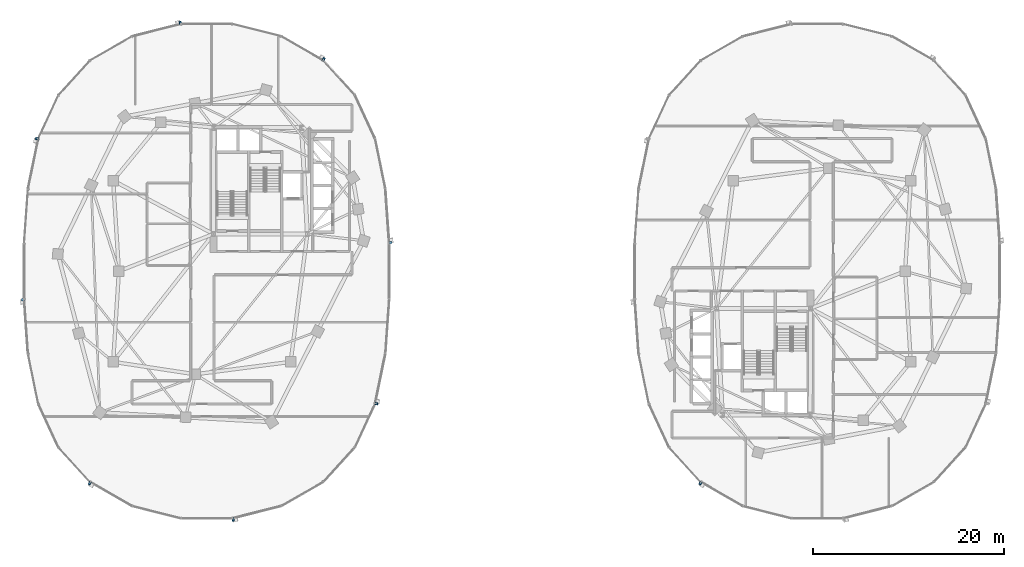
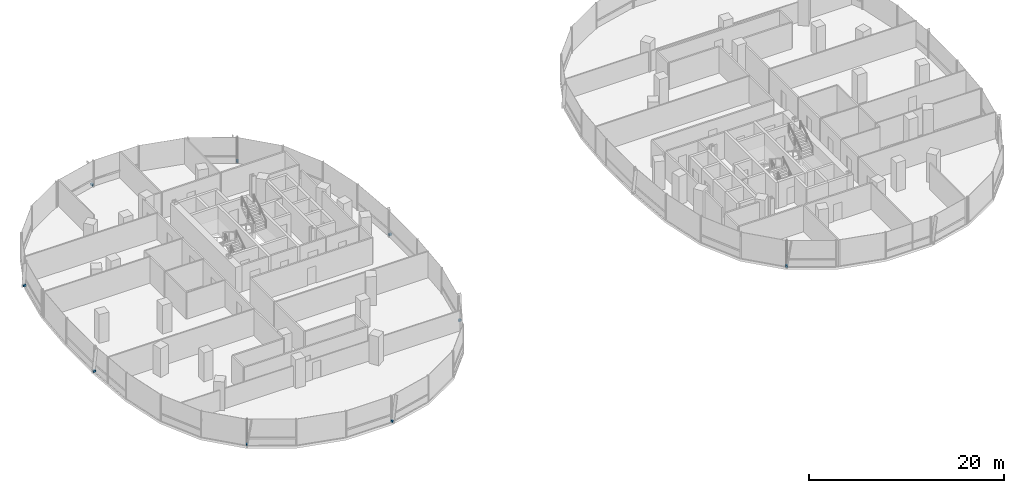
# One storey, part 15 of 21: 9 discrete accessories.
"""IFC4 building model written with IfcOpenShell, lengths in metres."""

from ifc_helpers import new_model, si_unit, direction, frame, origin, origin_2d, place, context, subcontext, project, spatial, rectangle, extrude, material, type_object, element, save


model = new_model("IFC4")

# Units and contexts
model_context = context("Model", 3, precision=1e-05, world=origin(), true_north=direction((0.0, 1.0)))
body_context = subcontext(model_context, "Body", "Model", "MODEL_VIEW")
ifc_project = project(units=[si_unit("LENGTHUNIT", "METRE"), si_unit("AREAUNIT", "SQUARE_METRE"), si_unit("VOLUMEUNIT", "CUBIC_METRE"), si_unit("PLANEANGLEUNIT", "RADIAN"), si_unit("MASSUNIT", "GRAM", prefix="KILO"), si_unit("THERMODYNAMICTEMPERATUREUNIT", "KELVIN"), si_unit("POWERUNIT", "WATT")], contexts=[model_context])

# Site, building, storey
site_placement = place(None, origin())
site = spatial("IfcSite", under=ifc_project, at=site_placement, CompositionType="ELEMENT")
building_placement = place(site_placement, origin())
building = spatial("IfcBuilding", under=site, at=building_placement, Name="Cundina Bronze Exchange", CompositionType="ELEMENT")
storey_placement = place(building_placement, frame((0.0, 0.0, 121.39990234375)))
storey = spatial("IfcBuildingStorey", under=building, at=storey_placement, Name="L31", CompositionType="ELEMENT", Elevation=121.39990234375)

# Discrete accessories
ifc_material = material(Name="Anodised Bronze Aluminium 6063-T6", Category="aluminium")
discrete_accessory_type = type_object("IfcDiscreteAccessoryType", Name="ACC-BRK-FIN", PredefinedType="BRACKET", material=ifc_material)
for number, where, z_axis, x_axis, name in (
    (1, (-12.735595703125, 2.986083984375, 0.10009765625), (0.0, 0.0, 1.0), (-0.070278787473, 0.997527389113, 0.0), "L31 Fin Support Bracket 1"),
    (2, (-19.740478515625, 22.21875, 0.10009765625), (0.0, 0.0, 1.0), (-0.867105478933, 0.498124571171, 0.0), "L31 Fin Support Bracket 5"),
    (3, (-34.76025390625, 26.03173828125, 0.10009765625), (0.0, 0.0, 1.0), (-0.969488149345, -0.245138182011, 0.0), "L31 Fin Support Bracket 1"),
    (4, (-49.788330078125, 13.8896484375, 0.10009765625), (0.0, 0.0, 1.0), (-0.201419845156, -0.979505000486, 0.0), "L31 Fin Support Bracket 5"),
    (5, (-51.264404296875, -2.986083984375, 0.10009765625), (0.0, 0.0, 1.0), (0.070278787473, -0.997527389113, 0.0), "L31 Fin Support Bracket 1"),
    (6, (-44.259521484375, -22.21875, 0.10009765625), (0.0, 0.0, 1.0), (0.867105478933, -0.498124571171, 0.0), "L31 Fin Support Bracket 5"),
    (7, (-29.23974609375, -26.03173828125, 0.10009765625), (0.0, 0.0, 1.0), (0.969488149345, 0.245138182011, 0.0), "L31 Fin Support Bracket 1"),
    (8, (-14.211669921875, -13.8896484375, 0.10009765625), (0.0, 0.0, 1.0), (0.201419845156, 0.979505000486, 0.0), "L31 Fin Support Bracket 5"),
    (9, (19.740478515625, -22.21875, 0.10009765625), (0.0, 0.0, 1.0), (0.867105478933, -0.498124571171, 0.0), "L31 Fin Support Bracket 5"),
):
    element("IfcDiscreteAccessory", number, at=place(storey_placement, frame(where, z_axis=z_axis, x_axis=x_axis)), inside=storey, type_object=discrete_accessory_type, Name=name, PredefinedType="BRACKET", context=body_context, shape_type="SweptSolid", body=[
        extrude(rectangle(XDim=0.219970703125, YDim=0.320068359375, at=origin_2d()), origin(), (0.0, 0.0, 1.0), 0.239990234375),
    ])

save(model, "model.ifc")
